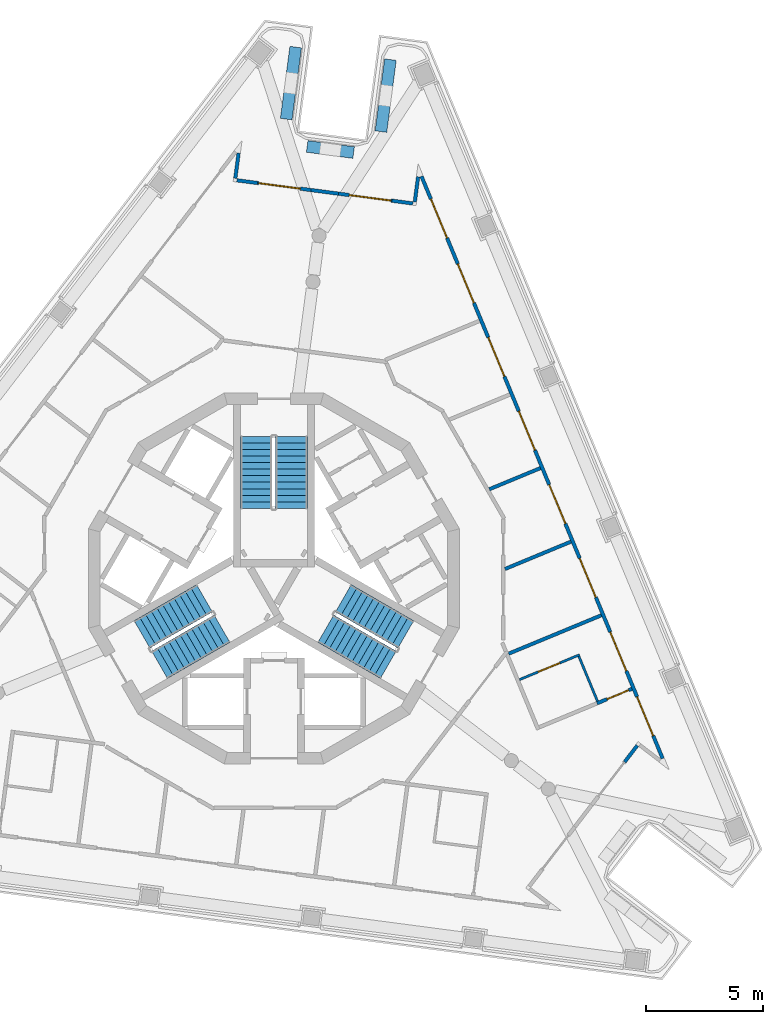
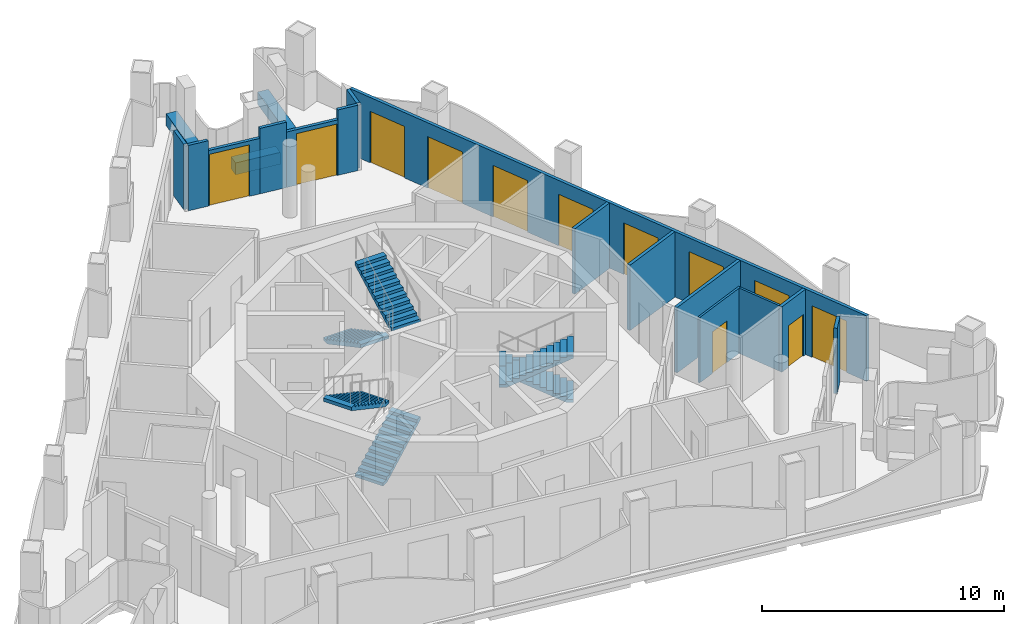
# One storey, part 6 of 12: 18 walls, 12 doors, 6 stair flights, 12 openings, 3 elements without a shape of their own.
"""IFC4 building model written with IfcOpenShell, lengths in metres."""

from ifc_helpers import new_model, si_unit, direction, frame, frame_2d, origin, place, context, subcontext, project, spatial, polyline, rectangle, outline, extrude, material, layer, layer_set, type_object, element, fill, aggregate, save


model = new_model("IFC4")

# Units and contexts
model_context = context("Model", 3, precision=1e-05, world=origin(), true_north=direction((0.0, 1.0)))
body_context = subcontext(model_context, "Body", "Model", "MODEL_VIEW")
ifc_project = project(units=[si_unit("LENGTHUNIT", "METRE"), si_unit("AREAUNIT", "SQUARE_METRE"), si_unit("VOLUMEUNIT", "CUBIC_METRE"), si_unit("PLANEANGLEUNIT", "RADIAN"), si_unit("MASSUNIT", "GRAM", prefix="KILO")], contexts=[model_context])

# Site, building, storey
site_placement = place(None, origin())
site = spatial("IfcSite", under=ifc_project, at=site_placement, CompositionType="ELEMENT")
building_placement = place(site_placement, origin())
building = spatial("IfcBuilding", under=site, at=building_placement, Name="Trine Commons Tower", CompositionType="ELEMENT")
storey_placement = place(building_placement, frame((0.0, 0.0, 279.0)))
storey = spatial("IfcBuildingStorey", under=building, at=storey_placement, Name="L73", CompositionType="ELEMENT", Elevation=279.0)

# Walls
ifc_material_1 = material(Name="Aluminium-framed insulated wall panel", Category="aluminium")
ifc_layer_1 = layer(ifc_material_1, 0.14990234375)
ifc_layer_set_1 = layer_set([ifc_layer_1], Name="Aluminium-framed insulated wall panel")
wall_type_1 = type_object("IfcWallType", Name="Glazed frame wall 150, EI 60", PredefinedType="SOLIDWALL", material=ifc_layer_set_1)
wall_1_placement = place(storey_placement, frame((78.51220703125, 80.81005859375, 0.0), z_axis=(0.0, 0.0, 1.0), x_axis=(-0.130510858064, -0.991446880033, 0.0)))
element("IfcWall", 1, at=wall_1_placement, inside=storey, type_object=wall_type_1, Name="Glazed frame wall R2", PredefinedType="SOLIDWALL", context=body_context, shape_type="SweptSolid", body=[
    extrude(outline(polyline([(0.1494140625, 0.074951171875), (0.1494140625, -0.074951171875), (1.235107421875, -0.074951171875), (1.235107421875, 0.074951171875), (0.1494140625, 0.074951171875)])), origin(), (0.0, 0.0, 1.0), 3.300048828125),
])
wall_2_placement = place(storey_placement, frame((78.306396484375, 79.515869140625, 0.0), z_axis=(0.0, 0.0, 1.0), x_axis=(0.991437672373, -0.130580786489, 0.0)))
element("IfcWall", 2, at=wall_2_placement, inside=storey, type_object=wall_type_1, Name="Glazed frame wall P1.1", PredefinedType="SOLIDWALL", context=body_context, shape_type="SweptSolid", body=[
    extrude(outline(polyline([(0.110107421875, -0.074951171875), (1.0, -0.074951171875), (1.0, 0.074951171875), (0.110107421875, 0.074951171875), (0.110107421875, -0.074951171875)])), origin(), (0.0, 0.0, 1.0), 3.300048828125),
])

# Wall, opening, door
wall_3_placement = place(storey_placement, frame((79.298095703125, 79.38525390625, 0.0), z_axis=(0.0, 0.0, 1.0), x_axis=(0.991435223914, -0.130599375121, 0.0)))
wall_3 = element("IfcWall", 3, at=wall_3_placement, inside=storey, type_object=wall_type_1, Name="Glazed frame wall P1.2", PredefinedType="SOLIDWALL", context=body_context, shape_type="SweptSolid", body=[
    extrude(outline(polyline([(0.0, -0.074951171875), (2.310791015625, -0.074951171875), (2.310791015625, 0.074951171875), (0.0, 0.074951171875), (0.0, -0.074951171875)])), origin(), (0.0, 0.0, 1.0), 2.800048828125),
])
opening_1_placement = place(wall_3_placement, frame((0.050048828125, 0.0, 0.0)))
opening_1 = element("IfcOpeningElement", 4, at=opening_1_placement, cuts=wall_3, Name="Opening BD-8P1-01", PredefinedType="OPENING", context=body_context, shape_type="SweptSolid", body=[
    extrude(rectangle(XDim=1.800048828125, YDim=2.60009765625, at=frame_2d((0.89990234375, 1.300048828125))), frame((0.0, 0.0849609375, 0.0), z_axis=(0.0, -1.0, 0.0), x_axis=(1.0, 0.0, 0.0)), (0.0, 0.0, 1.0), 0.169921875),
])
ifc_material_2 = material(Name="Anodised aluminium frame with double glazing", Category="aluminium")
door_type_1 = type_object("IfcDoorType", Name="Sliding loggia door 1800x2600", OperationType="SLIDING_TO_LEFT", PredefinedType="DOOR", material=ifc_material_2)
door_1_placement = place(opening_1_placement, origin())
door_1 = element("IfcDoor", 5, at=door_1_placement, inside=storey, type_object=door_type_1, Name="Loggia door P1 1", OperationType="SLIDING_TO_LEFT", OverallHeight=2.60009765625, OverallWidth=1.800048828125, PredefinedType="DOOR", context=body_context, shape_type="SweptSolid", body=[
    extrude(rectangle(XDim=1.800048828125, YDim=2.60009765625, at=frame_2d((0.89990234375, 1.300048828125))), frame((0.0, 0.02490234375, 0.0), z_axis=(0.0, -1.0, 0.0), x_axis=(1.0, 0.0, 0.0)), (0.0, 0.0, 1.0), 0.050048828125),
])
fill(opening_1, door_1)

# Wall
wall_4_placement = place(storey_placement, frame((81.5888671875, 79.08349609375, 0.0), z_axis=(0.0, 0.0, 1.0), x_axis=(0.991447243185, -0.130508099291, 0.0)))
element("IfcWall", 6, at=wall_4_placement, inside=storey, type_object=wall_type_1, Name="Glazed frame wall P1.3", PredefinedType="SOLIDWALL", context=body_context, shape_type="SweptSolid", body=[
    extrude(outline(polyline([(0.0, -0.074951171875), (1.1787109375, -0.074951171875), (1.1787109375, 0.074951171875), (0.0, 0.074951171875), (0.0, -0.074951171875)])), origin(), (0.0, 0.0, 1.0), 3.300048828125),
])

# Wall, opening, door
wall_5_placement = place(storey_placement, frame((82.75732421875, 78.9296875, 0.0), z_axis=(0.0, 0.0, 1.0), x_axis=(0.991450699069, -0.130481842855, 0.0)))
wall_5 = element("IfcWall", 7, at=wall_5_placement, inside=storey, type_object=wall_type_1, Name="Glazed frame wall P1.4", PredefinedType="SOLIDWALL", context=body_context, shape_type="SweptSolid", body=[
    extrude(outline(polyline([(0.0, -0.074951171875), (2.310791015625, -0.074951171875), (2.310791015625, 0.074951171875), (0.0, 0.074951171875), (0.0, -0.074951171875)])), origin(), (0.0, 0.0, 1.0), 2.800048828125),
])
opening_2_placement = place(wall_5_placement, frame((0.460693359375, 0.0, 0.0)))
opening_2 = element("IfcOpeningElement", 8, at=opening_2_placement, cuts=wall_5, Name="Opening BD-8P1-02", PredefinedType="OPENING", context=body_context, shape_type="SweptSolid", body=[
    extrude(rectangle(XDim=1.800048828125, YDim=2.60009765625, at=frame_2d((0.89990234375, 1.300048828125))), frame((0.0, 0.0849609375, 0.0), z_axis=(0.0, -1.0, 0.0), x_axis=(1.0, 0.0, 0.0)), (0.0, 0.0, 1.0), 0.169921875),
])
door_2_placement = place(opening_2_placement, origin())
door_2 = element("IfcDoor", 9, at=door_2_placement, inside=storey, type_object=door_type_1, Name="Loggia door P1 2", OperationType="SLIDING_TO_LEFT", OverallHeight=2.60009765625, OverallWidth=1.800048828125, PredefinedType="DOOR", context=body_context, shape_type="SweptSolid", body=[
    extrude(rectangle(XDim=1.800048828125, YDim=2.60009765625, at=frame_2d((0.89990234375, 1.300048828125))), frame((0.0, 0.02490234375, 0.0), z_axis=(0.0, -1.0, 0.0), x_axis=(1.0, 0.0, 0.0)), (0.0, 0.0, 1.0), 0.050048828125),
])
fill(opening_2, door_2)

# Walls
wall_6_placement = place(storey_placement, frame((85.04833984375, 78.628173828125, 0.0), z_axis=(0.0, 0.0, 1.0), x_axis=(0.991465094935, -0.130372410907, 0.0)))
element("IfcWall", 10, at=wall_6_placement, inside=storey, type_object=wall_type_1, Name="Glazed frame wall P1.5", PredefinedType="SOLIDWALL", context=body_context, shape_type="SweptSolid", body=[
    extrude(outline(polyline([(0.889892578125, 0.074951171875), (0.0, 0.074951171875), (0.0, -0.074951171875), (0.889892578125, -0.074951171875), (0.889892578125, 0.074951171875)])), origin(), (0.0, 0.0, 1.0), 3.300048828125),
])
wall_7_placement = place(storey_placement, frame((86.00048828125, 78.467529296875, 0.0), z_axis=(0.0, 0.0, 1.0), x_axis=(0.130510858064, 0.991446880033, 0.0)))
element("IfcWall", 11, at=wall_7_placement, inside=storey, type_object=wall_type_1, Name="Glazed frame wall R4", PredefinedType="SOLIDWALL", context=body_context, shape_type="SweptSolid", body=[
    extrude(outline(polyline([(0.110107421875, 0.074951171875), (0.110107421875, -0.074951171875), (1.19580078125, -0.074951171875), (1.19580078125, 0.074951171875), (0.110107421875, 0.074951171875)])), origin(), (0.0, 0.0, 1.0), 3.300048828125),
])

# Wall, openings, doors
wall_8_placement = place(storey_placement, frame((86.2431640625, 79.809814453125, 0.0), z_axis=(0.0, 0.0, 1.0), x_axis=(0.382683868189, -0.923879351987, 0.0)))
wall_8 = element("IfcWall", 12, at=wall_8_placement, inside=storey, type_object=wall_type_1, Name="Glazed frame wall F2", PredefinedType="SOLIDWALL", context=body_context, shape_type="SweptSolid", body=[
    extrude(outline(polyline([(0.1494140625, 0.074951171875), (0.1494140625, -0.074951171875), (27.056884765625, -0.074951171875), (27.056884765625, 0.074951171875), (0.1494140625, 0.074951171875)])), origin(), (0.0, 0.0, 1.0), 3.300048828125),
])
opening_3_placement = place(wall_8_placement, frame((1.200439453125, 0.0, 0.0)))
opening_3 = element("IfcOpeningElement", 13, at=opening_3_placement, cuts=wall_8, Name="Opening BD-8F2-01", PredefinedType="OPENING", context=body_context, shape_type="SweptSolid", body=[
    extrude(rectangle(XDim=1.800048828125, YDim=2.60009765625, at=frame_2d((0.89990234375, 1.300048828125))), frame((0.0, 0.0849609375, 0.0), z_axis=(0.0, -1.0, 0.0), x_axis=(1.0, 0.0, 0.0)), (0.0, 0.0, 1.0), 0.169921875),
])
opening_4_placement = place(wall_8_placement, frame((4.201171875, 0.0, 0.0)))
opening_4 = element("IfcOpeningElement", 14, at=opening_4_placement, cuts=wall_8, Name="Opening BD-8F2-02", PredefinedType="OPENING", context=body_context, shape_type="SweptSolid", body=[
    extrude(rectangle(XDim=1.800048828125, YDim=2.60009765625, at=frame_2d((0.89990234375, 1.300048828125))), frame((0.0, 0.0849609375, 0.0), z_axis=(0.0, -1.0, 0.0), x_axis=(1.0, 0.0, 0.0)), (0.0, 0.0, 1.0), 0.169921875),
])
opening_5_placement = place(wall_8_placement, frame((7.60205078125, 0.0, 0.0)))
opening_5 = element("IfcOpeningElement", 15, at=opening_5_placement, cuts=wall_8, Name="Opening BD-8F2-03", PredefinedType="OPENING", context=body_context, shape_type="SweptSolid", body=[
    extrude(rectangle(XDim=1.800048828125, YDim=2.60009765625, at=frame_2d((0.89990234375, 1.300048828125))), frame((0.0, 0.0849609375, 0.0), z_axis=(0.0, -1.0, 0.0), x_axis=(1.0, 0.0, 0.0)), (0.0, 0.0, 1.0), 0.169921875),
])
opening_6_placement = place(wall_8_placement, frame((11.002685546875, 0.0, 0.0)))
opening_6 = element("IfcOpeningElement", 16, at=opening_6_placement, cuts=wall_8, Name="Opening BD-8F2-04", PredefinedType="OPENING", context=body_context, shape_type="SweptSolid", body=[
    extrude(rectangle(XDim=1.800048828125, YDim=2.60009765625, at=frame_2d((0.89990234375, 1.300048828125))), frame((0.0, 0.0849609375, 0.0), z_axis=(0.0, -1.0, 0.0), x_axis=(1.0, 0.0, 0.0)), (0.0, 0.0, 1.0), 0.169921875),
])
opening_7_placement = place(wall_8_placement, frame((14.403564453125, 0.0, 0.0)))
opening_7 = element("IfcOpeningElement", 17, at=opening_7_placement, cuts=wall_8, Name="Opening BD-8F2-05", PredefinedType="OPENING", context=body_context, shape_type="SweptSolid", body=[
    extrude(rectangle(XDim=1.800048828125, YDim=2.60009765625, at=frame_2d((0.89990234375, 1.300048828125))), frame((0.0, 0.0849609375, 0.0), z_axis=(0.0, -1.0, 0.0), x_axis=(1.0, 0.0, 0.0)), (0.0, 0.0, 1.0), 0.169921875),
])
opening_8_placement = place(wall_8_placement, frame((17.804443359375, 0.0, 0.0)))
opening_8 = element("IfcOpeningElement", 18, at=opening_8_placement, cuts=wall_8, Name="Opening BD-8F2-06", PredefinedType="OPENING", context=body_context, shape_type="SweptSolid", body=[
    extrude(rectangle(XDim=1.800048828125, YDim=2.60009765625, at=frame_2d((0.89990234375, 1.300048828125))), frame((0.0, 0.0849609375, 0.0), z_axis=(0.0, -1.0, 0.0), x_axis=(1.0, 0.0, 0.0)), (0.0, 0.0, 1.0), 0.169921875),
])
opening_9_placement = place(wall_8_placement, frame((21.205078125, 0.0, 0.0)))
opening_9 = element("IfcOpeningElement", 19, at=opening_9_placement, cuts=wall_8, Name="Opening BD-8F2-07", PredefinedType="OPENING", context=body_context, shape_type="SweptSolid", body=[
    extrude(rectangle(XDim=1.800048828125, YDim=2.60009765625, at=frame_2d((0.89990234375, 1.300048828125))), frame((0.0, 0.0849609375, 0.0), z_axis=(0.0, -1.0, 0.0), x_axis=(1.0, 0.0, 0.0)), (0.0, 0.0, 1.0), 0.169921875),
])
opening_10_placement = place(wall_8_placement, frame((24.2060546875, 0.0, 0.0)))
opening_10 = element("IfcOpeningElement", 20, at=opening_10_placement, cuts=wall_8, Name="Opening BD-8F2-08", PredefinedType="OPENING", context=body_context, shape_type="SweptSolid", body=[
    extrude(rectangle(XDim=1.800048828125, YDim=2.60009765625, at=frame_2d((0.89990234375, 1.300048828125))), frame((0.0, 0.0849609375, 0.0), z_axis=(0.0, -1.0, 0.0), x_axis=(1.0, 0.0, 0.0)), (0.0, 0.0, 1.0), 0.169921875),
])
door_3_placement = place(opening_3_placement, origin())
door_3 = element("IfcDoor", 21, at=door_3_placement, inside=storey, type_object=door_type_1, Name="Loggia door F2 1", OperationType="SLIDING_TO_LEFT", OverallHeight=2.60009765625, OverallWidth=1.800048828125, PredefinedType="DOOR", context=body_context, shape_type="SweptSolid", body=[
    extrude(rectangle(XDim=1.800048828125, YDim=2.60009765625, at=frame_2d((0.89990234375, 1.300048828125))), frame((0.0, 0.02490234375, 0.0), z_axis=(0.0, -1.0, 0.0), x_axis=(1.0, 0.0, 0.0)), (0.0, 0.0, 1.0), 0.050048828125),
])
fill(opening_3, door_3)
door_4_placement = place(opening_4_placement, origin())
door_4 = element("IfcDoor", 22, at=door_4_placement, inside=storey, type_object=door_type_1, Name="Loggia door F2 2", OperationType="SLIDING_TO_LEFT", OverallHeight=2.60009765625, OverallWidth=1.800048828125, PredefinedType="DOOR", context=body_context, shape_type="SweptSolid", body=[
    extrude(rectangle(XDim=1.800048828125, YDim=2.60009765625, at=frame_2d((0.89990234375, 1.300048828125))), frame((0.0, 0.02490234375, 0.0), z_axis=(0.0, -1.0, 0.0), x_axis=(1.0, 0.0, 0.0)), (0.0, 0.0, 1.0), 0.050048828125),
])
fill(opening_4, door_4)
door_5_placement = place(opening_5_placement, origin())
door_5 = element("IfcDoor", 23, at=door_5_placement, inside=storey, type_object=door_type_1, Name="Loggia door F2 3", OperationType="SLIDING_TO_LEFT", OverallHeight=2.60009765625, OverallWidth=1.800048828125, PredefinedType="DOOR", context=body_context, shape_type="SweptSolid", body=[
    extrude(rectangle(XDim=1.800048828125, YDim=2.60009765625, at=frame_2d((0.89990234375, 1.300048828125))), frame((0.0, 0.02490234375, 0.0), z_axis=(0.0, -1.0, 0.0), x_axis=(1.0, 0.0, 0.0)), (0.0, 0.0, 1.0), 0.050048828125),
])
fill(opening_5, door_5)
door_6_placement = place(opening_6_placement, origin())
door_6 = element("IfcDoor", 24, at=door_6_placement, inside=storey, type_object=door_type_1, Name="Loggia door F2 4", OperationType="SLIDING_TO_LEFT", OverallHeight=2.60009765625, OverallWidth=1.800048828125, PredefinedType="DOOR", context=body_context, shape_type="SweptSolid", body=[
    extrude(rectangle(XDim=1.800048828125, YDim=2.60009765625, at=frame_2d((0.89990234375, 1.300048828125))), frame((0.0, 0.02490234375, 0.0), z_axis=(0.0, -1.0, 0.0), x_axis=(1.0, 0.0, 0.0)), (0.0, 0.0, 1.0), 0.050048828125),
])
fill(opening_6, door_6)
door_7_placement = place(opening_7_placement, origin())
door_7 = element("IfcDoor", 25, at=door_7_placement, inside=storey, type_object=door_type_1, Name="Loggia door F2 5", OperationType="SLIDING_TO_LEFT", OverallHeight=2.60009765625, OverallWidth=1.800048828125, PredefinedType="DOOR", context=body_context, shape_type="SweptSolid", body=[
    extrude(rectangle(XDim=1.800048828125, YDim=2.60009765625, at=frame_2d((0.89990234375, 1.300048828125))), frame((0.0, 0.02490234375, 0.0), z_axis=(0.0, -1.0, 0.0), x_axis=(1.0, 0.0, 0.0)), (0.0, 0.0, 1.0), 0.050048828125),
])
fill(opening_7, door_7)
door_8_placement = place(opening_8_placement, origin())
door_8 = element("IfcDoor", 26, at=door_8_placement, inside=storey, type_object=door_type_1, Name="Loggia door F2 6", OperationType="SLIDING_TO_LEFT", OverallHeight=2.60009765625, OverallWidth=1.800048828125, PredefinedType="DOOR", context=body_context, shape_type="SweptSolid", body=[
    extrude(rectangle(XDim=1.800048828125, YDim=2.60009765625, at=frame_2d((0.89990234375, 1.300048828125))), frame((0.0, 0.02490234375, 0.0), z_axis=(0.0, -1.0, 0.0), x_axis=(1.0, 0.0, 0.0)), (0.0, 0.0, 1.0), 0.050048828125),
])
fill(opening_8, door_8)
door_9_placement = place(opening_9_placement, origin())
door_9 = element("IfcDoor", 27, at=door_9_placement, inside=storey, type_object=door_type_1, Name="Loggia door F2 7", OperationType="SLIDING_TO_LEFT", OverallHeight=2.60009765625, OverallWidth=1.800048828125, PredefinedType="DOOR", context=body_context, shape_type="SweptSolid", body=[
    extrude(rectangle(XDim=1.800048828125, YDim=2.60009765625, at=frame_2d((0.89990234375, 1.300048828125))), frame((0.0, 0.02490234375, 0.0), z_axis=(0.0, -1.0, 0.0), x_axis=(1.0, 0.0, 0.0)), (0.0, 0.0, 1.0), 0.050048828125),
])
fill(opening_9, door_9)
door_10_placement = place(opening_10_placement, origin())
door_10 = element("IfcDoor", 28, at=door_10_placement, inside=storey, type_object=door_type_1, Name="Loggia door F2 8", OperationType="SLIDING_TO_LEFT", OverallHeight=2.60009765625, OverallWidth=1.800048828125, PredefinedType="DOOR", context=body_context, shape_type="SweptSolid", body=[
    extrude(rectangle(XDim=1.800048828125, YDim=2.60009765625, at=frame_2d((0.89990234375, 1.300048828125))), frame((0.0, 0.02490234375, 0.0), z_axis=(0.0, -1.0, 0.0), x_axis=(1.0, 0.0, 0.0)), (0.0, 0.0, 1.0), 0.050048828125),
])
fill(opening_10, door_10)

# Walls
wall_9_placement = place(storey_placement, frame((95.582763671875, 55.458740234375, 0.0), z_axis=(0.0, 0.0, 1.0), x_axis=(-0.60863653794, -0.793449156962, 0.0)))
element("IfcWall", 29, at=wall_9_placement, inside=storey, type_object=wall_type_1, Name="Glazed frame wall P2.1", PredefinedType="SOLIDWALL", context=body_context, shape_type="SweptSolid", body=[
    extrude(outline(polyline([(0.110107421875, -0.074951171875), (1.0, -0.074951171875), (1.0, 0.074951171875), (0.110107421875, 0.074951171875), (0.110107421875, -0.074951171875)])), origin(), (0.0, 0.0, 1.0), 3.300048828125),
])
ifc_material_3 = material(Name="Planter trough, precast concrete C40/50", Category="concrete")
ifc_layer_2 = layer(ifc_material_3, 0.5)
ifc_layer_set_2 = layer_set([ifc_layer_2], Name="Planter trough, precast concrete C40/50")
wall_type_2 = type_object("IfcWallType", Name="Planter trough 500x600", PredefinedType="PARAPET", material=ifc_layer_set_2)
wall_10_placement = place(storey_placement, frame((80.92919921875, 85.18701171875, 0.0), z_axis=(0.0, 0.0, 1.0), x_axis=(-0.130487105691, -0.991450006429, 0.0)))
element("IfcWall", 30, at=wall_10_placement, inside=storey, type_object=wall_type_2, Name="Planter 4", PredefinedType="PARAPET", context=body_context, shape_type="SweptSolid", body=[
    extrude(rectangle(XDim=3.100341796875, YDim=0.5, at=frame_2d((1.55029296875, 0.0))), origin(), (0.0, 0.0, 1.0), 0.60009765625),
])
wall_11_placement = place(storey_placement, frame((81.419921875, 80.94677734375, 0.0), z_axis=(0.0, 0.0, 1.0), x_axis=(0.991433509034, -0.130612392842, 0.0)))
element("IfcWall", 31, at=wall_11_placement, inside=storey, type_object=wall_type_2, Name="Planter 5", PredefinedType="PARAPET", context=body_context, shape_type="SweptSolid", body=[
    extrude(rectangle(XDim=2.0, YDim=0.5, at=frame_2d((1.0, 0.0))), origin(), (0.0, 0.0, 1.0), 0.60009765625),
])
wall_12_placement = place(storey_placement, frame((84.569580078125, 81.5810546875, 0.0), z_axis=(0.0, 0.0, 1.0), x_axis=(0.130507484591, 0.9914473241, 0.0)))
element("IfcWall", 32, at=wall_12_placement, inside=storey, type_object=wall_type_2, Name="Planter 6", PredefinedType="PARAPET", context=body_context, shape_type="SweptSolid", body=[
    extrude(rectangle(XDim=3.099853515625, YDim=0.5, at=frame_2d((1.5498046875, 0.0))), origin(), (0.0, 0.0, 1.0), 0.60009765625),
])
ifc_material_4 = material(Name="Gypsum plasterboard on steel stud", Category="steel")
ifc_layer_3 = layer(ifc_material_4, 0.14990234375)
ifc_layer_set_3 = layer_set([ifc_layer_3], Name="Gypsum plasterboard on steel stud")
wall_type_3 = type_object("IfcWallType", Name="Unit and corridor wall 150 mm, EI 60", PredefinedType="PARTITIONING", material=ifc_layer_set_3)
wall_13_placement = place(storey_placement, frame((89.197265625, 66.309814453125, 0.0), z_axis=(0.0, 0.0, 1.0), x_axis=(0.923858052564, 0.382735285429, 0.0)))
element("IfcWall", 33, at=wall_13_placement, inside=storey, type_object=wall_type_3, Name="Partition 048", PredefinedType="PARTITIONING", context=body_context, shape_type="SweptSolid", body=[
    extrude(rectangle(XDim=2.361328125, YDim=0.14990234375, at=frame_2d((1.1806640625, 0.0))), origin(), (0.0, 0.0, 1.0), 3.300048828125),
])
wall_14_placement = place(storey_placement, frame((89.865234375, 62.90478515625, 0.0), z_axis=(0.0, 0.0, 1.0), x_axis=(0.923798092673, 0.382879986385, 0.0)))
element("IfcWall", 34, at=wall_14_placement, inside=storey, type_object=wall_type_3, Name="Partition 051", PredefinedType="PARTITIONING", context=body_context, shape_type="SweptSolid", body=[
    extrude(rectangle(XDim=3.0478515625, YDim=0.14990234375, at=frame_2d((1.52392578125, 0.0))), origin(), (0.0, 0.0, 1.0), 3.300048828125),
])
wall_15_placement = place(storey_placement, frame((90.023193359375, 59.289794921875, 0.0), z_axis=(0.0, 0.0, 1.0), x_axis=(0.923868914467, 0.382709065586, 0.0)))
element("IfcWall", 35, at=wall_15_placement, inside=storey, type_object=wall_type_3, Name="Partition 053", PredefinedType="PARTITIONING", context=body_context, shape_type="SweptSolid", body=[
    extrude(rectangle(XDim=4.284912109375, YDim=0.14990234375, at=frame_2d((2.142578125, 0.0))), origin(), (0.0, 0.0, 1.0), 3.300048828125),
])

# Wall, opening, door
wall_16_placement = place(storey_placement, frame((93.793701171875, 57.169921875, 0.0), z_axis=(0.0, 0.0, 1.0), x_axis=(0.923791733711, 0.382895328684, 0.0)))
wall_16 = element("IfcWall", 36, at=wall_16_placement, inside=storey, type_object=wall_type_3, Name="Partition 057", PredefinedType="PARTITIONING", context=body_context, shape_type="SweptSolid", body=[
    extrude(rectangle(XDim=1.61328125, YDim=0.14990234375, at=frame_2d((0.806640625, 0.0))), origin(), (0.0, 0.0, 1.0), 3.300048828125),
])
opening_11_placement = place(wall_16_placement, frame((0.463134765625, 0.0, 0.0)))
opening_11 = element("IfcOpeningElement", 37, at=opening_11_placement, cuts=wall_16, Name="Opening D-8A13", PredefinedType="OPENING", context=body_context, shape_type="SweptSolid", body=[
    extrude(rectangle(XDim=1.0, YDim=2.10009765625, at=frame_2d((0.5, 1.050048828125))), frame((0.0, 0.0849609375, 0.0), z_axis=(0.0, -1.0, 0.0), x_axis=(1.0, 0.0, 0.0)), (0.0, 0.0, 1.0), 0.169921875),
])
ifc_material_5 = material(Name="Timber fire door set", Category="wood")
door_type_2 = type_object("IfcDoorType", Name="Bedroom door 1000 x 2100, FD30S", OperationType="NOTDEFINED", PredefinedType="DOOR", material=ifc_material_5)
door_11_placement = place(opening_11_placement, origin())
door_11 = element("IfcDoor", 38, at=door_11_placement, inside=storey, type_object=door_type_2, Name="Door D-8A13", OperationType="SINGLE_SWING_RIGHT", OverallHeight=2.10009765625, OverallWidth=1.0, PredefinedType="DOOR", context=body_context, shape_type="SweptSolid", body=[
    extrude(rectangle(XDim=1.0, YDim=2.10009765625, at=frame_2d((0.5, 1.050048828125))), frame((0.0, 0.02490234375, 0.0), z_axis=(0.0, -1.0, 0.0), x_axis=(1.0, 0.0, 0.0)), (0.0, 0.0, 1.0), 0.050048828125),
])
fill(opening_11, door_11)

ifc_layer_4 = layer(ifc_material_4, 0.10009765625)
ifc_layer_set_4 = layer_set([ifc_layer_4], Name="Gypsum plasterboard on steel stud")
wall_type_4 = type_object("IfcWallType", Name="Unit partition 100 mm, no rating", PredefinedType="PARTITIONING", material=ifc_layer_set_4)
wall_17_placement = place(storey_placement, frame((90.4833984375, 58.1806640625, 0.0), z_axis=(0.0, 0.0, 1.0), x_axis=(0.923931057252, 0.382559016944, 0.0)))
wall_17 = element("IfcWall", 39, at=wall_17_placement, inside=storey, type_object=wall_type_4, Name="Partition 054", PredefinedType="PARTITIONING", context=body_context, shape_type="SweptSolid", body=[
    extrude(rectangle(XDim=2.77490234375, YDim=0.10009765625, at=frame_2d((1.387451171875, 0.0))), origin(), (0.0, 0.0, 1.0), 3.300048828125),
])
opening_12_placement = place(wall_17_placement, frame((0.8623046875, 0.0, 0.0)))
opening_12 = element("IfcOpeningElement", 40, at=opening_12_placement, cuts=wall_17, Name="Opening D-8A21", PredefinedType="OPENING", context=body_context, shape_type="SweptSolid", body=[
    extrude(rectangle(XDim=1.0, YDim=2.10009765625, at=frame_2d((0.5, 1.050048828125))), frame((0.0, 0.06005859375, 0.0), z_axis=(0.0, -1.0, 0.0), x_axis=(1.0, 0.0, 0.0)), (0.0, 0.0, 1.0), 0.1201171875),
])
ifc_material_6 = material(Name="Painted timber", Category="wood")
door_type_3 = type_object("IfcDoorType", Name="Internal door 1000 x 2100, NOT RATED", OperationType="NOTDEFINED", PredefinedType="DOOR", material=ifc_material_6)
door_12_placement = place(opening_12_placement, origin())
door_12 = element("IfcDoor", 41, at=door_12_placement, inside=storey, type_object=door_type_3, Name="Door D-8A21", OperationType="SINGLE_SWING_LEFT", OverallHeight=2.10009765625, OverallWidth=1.0, PredefinedType="DOOR", context=body_context, shape_type="SweptSolid", body=[
    extrude(rectangle(XDim=1.0, YDim=2.10009765625, at=frame_2d((0.5, 1.050048828125))), frame((0.0, 0.02490234375, 0.0), z_axis=(0.0, -1.0, 0.0), x_axis=(1.0, 0.0, 0.0)), (0.0, 0.0, 1.0), 0.050048828125),
])
fill(opening_12, door_12)

# Wall
wall_18_placement = place(storey_placement, frame((93.02001953125, 59.1767578125, 0.0), z_axis=(0.0, 0.0, 1.0), x_axis=(0.382826421446, -0.92382029153, 0.0)))
element("IfcWall", 42, at=wall_18_placement, inside=storey, type_object=wall_type_4, Name="Partition 056", PredefinedType="PARTITIONING", context=body_context, shape_type="SweptSolid", body=[
    extrude(rectangle(XDim=2.074462890625, YDim=0.10009765625, at=frame_2d((1.037109375, 0.0))), origin(), (0.0, 0.0, 1.0), 3.300048828125),
])

# Stair, stair flights
ifc_material_7 = material(Name="Concrete C50/60", Category="concrete")
stair_type = type_object("IfcStairType", Name="Exit stair, dog-leg, 24 risers of 150 mm", PredefinedType="HALF_TURN_STAIR", material=ifc_material_7)
stair_1_placement = place(storey_placement, origin())
stair_1 = element("IfcStair", 43, at=stair_1_placement, inside=storey, type_object=stair_type, Name="L73 Exit stair ST1D", PredefinedType="HALF_TURN_STAIR")
stair_flight_type = type_object("IfcStairFlightType", Name="Stair flight, 1350 wide, 12 risers of 150 mm", PredefinedType="STRAIGHT", material=ifc_material_7)
stair_flight_1_placement = place(storey_placement, frame((79.25, 68.570556640625, 0.0), z_axis=(0.0, 0.0, 1.0), x_axis=(0.0, -1.0, 0.0)))
stair_flight_1 = element("IfcStairFlight", 44, at=stair_flight_1_placement, type_object=stair_flight_type, Name="ST1D flight 1", NumberOfRisers=12, NumberOfTreads=11, PredefinedType="STRAIGHT", RiserHeight=0.15, TreadLength=0.28, context=body_context, shape_type="SweptSolid", body=[
    extrude(outline(polyline([(0.0, 0.0), (0.0, 0.14990234375), (0.280029296875, 0.14990234375), (0.280029296875, 0.300048828125), (0.56005859375, 0.300048828125), (0.56005859375, 0.449951171875), (0.840087890625, 0.449951171875), (0.840087890625, 0.60009765625), (1.1201171875, 0.60009765625), (1.1201171875, 0.75), (1.39990234375, 0.75), (1.39990234375, 0.89990234375), (1.679931640625, 0.89990234375), (1.679931640625, 1.050048828125), (1.9599609375, 1.050048828125), (1.9599609375, 1.199951171875), (2.239990234375, 1.199951171875), (2.239990234375, 1.35009765625), (2.52001953125, 1.35009765625), (2.52001953125, 1.5), (2.800048828125, 1.5), (2.800048828125, 1.64990234375), (3.080078125, 1.64990234375), (3.080078125, 1.800048828125), (3.080078125, 1.47998046875), (0.3173828125, 0.0), (0.0, 0.0)])), frame((0.0, 0.675048828125, 0.0), z_axis=(0.0, -1.0, 0.0), x_axis=(1.0, 0.0, 0.0)), (0.0, 0.0, 1.0), 1.35009765625),
])
stair_flight_2_placement = place(storey_placement, frame((80.75, 65.490478515625, 1.800048828125), z_axis=(0.0, 0.0, 1.0), x_axis=(0.0, 1.0, 0.0)))
stair_flight_2 = element("IfcStairFlight", 45, at=stair_flight_2_placement, type_object=stair_flight_type, Name="ST1D flight 2", NumberOfRisers=12, NumberOfTreads=11, PredefinedType="STRAIGHT", RiserHeight=0.15, TreadLength=0.28, context=body_context, shape_type="SweptSolid", body=[
    extrude(outline(polyline([(0.0, 0.0), (0.0, 0.14990234375), (0.280029296875, 0.14990234375), (0.280029296875, 0.300048828125), (0.56005859375, 0.300048828125), (0.56005859375, 0.449951171875), (0.840087890625, 0.449951171875), (0.840087890625, 0.60009765625), (1.1201171875, 0.60009765625), (1.1201171875, 0.75), (1.39990234375, 0.75), (1.39990234375, 0.89990234375), (1.679931640625, 0.89990234375), (1.679931640625, 1.050048828125), (1.9599609375, 1.050048828125), (1.9599609375, 1.199951171875), (2.239990234375, 1.199951171875), (2.239990234375, 1.35009765625), (2.52001953125, 1.35009765625), (2.52001953125, 1.5), (2.800048828125, 1.5), (2.800048828125, 1.64990234375), (3.080078125, 1.64990234375), (3.080078125, 1.800048828125), (3.080078125, 1.47998046875), (0.3173828125, 0.0), (0.0, 0.0)])), frame((0.0, 0.675048828125, 0.0), z_axis=(0.0, -1.0, 0.0), x_axis=(1.0, 0.0, 0.0)), (0.0, 0.0, 1.0), 1.35009765625),
])
aggregate(stair_1, [stair_flight_1, stair_flight_2])

stair_2_placement = place(storey_placement, origin())
stair_2 = element("IfcStair", 46, at=stair_2_placement, inside=storey, type_object=stair_type, Name="L73 Exit stair ST2D", PredefinedType="HALF_TURN_STAIR")
stair_flight_3_placement = place(storey_placement, frame((75.11767578125, 58.815185546875, 0.0), z_axis=(0.0, 0.0, 1.0), x_axis=(0.866025403784, 0.5, 0.0)))
stair_flight_3 = element("IfcStairFlight", 47, at=stair_flight_3_placement, type_object=stair_flight_type, Name="ST2D flight 1", NumberOfRisers=12, NumberOfTreads=11, PredefinedType="STRAIGHT", RiserHeight=0.15, TreadLength=0.28, context=body_context, shape_type="SweptSolid", body=[
    extrude(outline(polyline([(0.0, 0.0), (0.0, 0.14990234375), (0.280029296875, 0.14990234375), (0.280029296875, 0.300048828125), (0.56005859375, 0.300048828125), (0.56005859375, 0.449951171875), (0.840087890625, 0.449951171875), (0.840087890625, 0.60009765625), (1.1201171875, 0.60009765625), (1.1201171875, 0.75), (1.39990234375, 0.75), (1.39990234375, 0.89990234375), (1.679931640625, 0.89990234375), (1.679931640625, 1.050048828125), (1.9599609375, 1.050048828125), (1.9599609375, 1.199951171875), (2.239990234375, 1.199951171875), (2.239990234375, 1.35009765625), (2.52001953125, 1.35009765625), (2.52001953125, 1.5), (2.800048828125, 1.5), (2.800048828125, 1.64990234375), (3.080078125, 1.64990234375), (3.080078125, 1.800048828125), (3.080078125, 1.47998046875), (0.3173828125, 0.0), (0.0, 0.0)])), frame((0.0, 0.675048828125, 0.0), z_axis=(0.0, -1.0, 0.0), x_axis=(1.0, 0.0, 0.0)), (0.0, 0.0, 1.0), 1.35009765625),
])
stair_flight_4_placement = place(storey_placement, frame((77.03515625, 61.654296875, 1.800048828125), z_axis=(0.0, 0.0, 1.0), x_axis=(-0.866025403784, -0.5, 0.0)))
stair_flight_4 = element("IfcStairFlight", 48, at=stair_flight_4_placement, type_object=stair_flight_type, Name="ST2D flight 2", NumberOfRisers=12, NumberOfTreads=11, PredefinedType="STRAIGHT", RiserHeight=0.15, TreadLength=0.28, context=body_context, shape_type="SweptSolid", body=[
    extrude(outline(polyline([(0.0, 0.0), (0.0, 0.14990234375), (0.280029296875, 0.14990234375), (0.280029296875, 0.300048828125), (0.56005859375, 0.300048828125), (0.56005859375, 0.449951171875), (0.840087890625, 0.449951171875), (0.840087890625, 0.60009765625), (1.1201171875, 0.60009765625), (1.1201171875, 0.75), (1.39990234375, 0.75), (1.39990234375, 0.89990234375), (1.679931640625, 0.89990234375), (1.679931640625, 1.050048828125), (1.9599609375, 1.050048828125), (1.9599609375, 1.199951171875), (2.239990234375, 1.199951171875), (2.239990234375, 1.35009765625), (2.52001953125, 1.35009765625), (2.52001953125, 1.5), (2.800048828125, 1.5), (2.800048828125, 1.64990234375), (3.080078125, 1.64990234375), (3.080078125, 1.800048828125), (3.080078125, 1.47998046875), (0.3173828125, 0.0), (0.0, 0.0)])), frame((0.0, 0.675048828125, 0.0), z_axis=(0.0, -1.0, 0.0), x_axis=(1.0, 0.0, 0.0)), (0.0, 0.0, 1.0), 1.35009765625),
])
aggregate(stair_2, [stair_flight_3, stair_flight_4])

stair_3_placement = place(storey_placement, origin())
stair_3 = element("IfcStair", 49, at=stair_3_placement, inside=storey, type_object=stair_type, Name="L73 Exit stair ST3D", PredefinedType="HALF_TURN_STAIR")
stair_flight_5_placement = place(storey_placement, frame((85.63232421875, 60.1142578125, 0.0), z_axis=(0.0, 0.0, 1.0), x_axis=(-0.866025403784, 0.5, 0.0)))
stair_flight_5 = element("IfcStairFlight", 50, at=stair_flight_5_placement, type_object=stair_flight_type, Name="ST3D flight 1", NumberOfRisers=12, NumberOfTreads=11, PredefinedType="STRAIGHT", RiserHeight=0.15, TreadLength=0.28, context=body_context, shape_type="SweptSolid", body=[
    extrude(outline(polyline([(0.0, 0.0), (0.0, 0.14990234375), (0.280029296875, 0.14990234375), (0.280029296875, 0.300048828125), (0.56005859375, 0.300048828125), (0.56005859375, 0.449951171875), (0.840087890625, 0.449951171875), (0.840087890625, 0.60009765625), (1.1201171875, 0.60009765625), (1.1201171875, 0.75), (1.39990234375, 0.75), (1.39990234375, 0.89990234375), (1.679931640625, 0.89990234375), (1.679931640625, 1.050048828125), (1.9599609375, 1.050048828125), (1.9599609375, 1.199951171875), (2.239990234375, 1.199951171875), (2.239990234375, 1.35009765625), (2.52001953125, 1.35009765625), (2.52001953125, 1.5), (2.800048828125, 1.5), (2.800048828125, 1.64990234375), (3.080078125, 1.64990234375), (3.080078125, 1.800048828125), (3.080078125, 1.47998046875), (0.3173828125, 0.0), (0.0, 0.0)])), frame((0.0, 0.675048828125, 0.0), z_axis=(0.0, -1.0, 0.0), x_axis=(1.0, 0.0, 0.0)), (0.0, 0.0, 1.0), 1.35009765625),
])
stair_flight_6_placement = place(storey_placement, frame((82.21484375, 60.355224609375, 1.800048828125), z_axis=(0.0, 0.0, 1.0), x_axis=(0.866025403784, -0.5, 0.0)))
stair_flight_6 = element("IfcStairFlight", 51, at=stair_flight_6_placement, type_object=stair_flight_type, Name="ST3D flight 2", NumberOfRisers=12, NumberOfTreads=11, PredefinedType="STRAIGHT", RiserHeight=0.15, TreadLength=0.28, context=body_context, shape_type="SweptSolid", body=[
    extrude(outline(polyline([(0.0, 0.0), (0.0, 0.14990234375), (0.280029296875, 0.14990234375), (0.280029296875, 0.300048828125), (0.56005859375, 0.300048828125), (0.56005859375, 0.449951171875), (0.840087890625, 0.449951171875), (0.840087890625, 0.60009765625), (1.1201171875, 0.60009765625), (1.1201171875, 0.75), (1.39990234375, 0.75), (1.39990234375, 0.89990234375), (1.679931640625, 0.89990234375), (1.679931640625, 1.050048828125), (1.9599609375, 1.050048828125), (1.9599609375, 1.199951171875), (2.239990234375, 1.199951171875), (2.239990234375, 1.35009765625), (2.52001953125, 1.35009765625), (2.52001953125, 1.5), (2.800048828125, 1.5), (2.800048828125, 1.64990234375), (3.080078125, 1.64990234375), (3.080078125, 1.800048828125), (3.080078125, 1.47998046875), (0.3173828125, 0.0), (0.0, 0.0)])), frame((0.0, 0.675048828125, 0.0), z_axis=(0.0, -1.0, 0.0), x_axis=(1.0, 0.0, 0.0)), (0.0, 0.0, 1.0), 1.35009765625),
])
aggregate(stair_3, [stair_flight_5, stair_flight_6])

save(model, "model.ifc")
